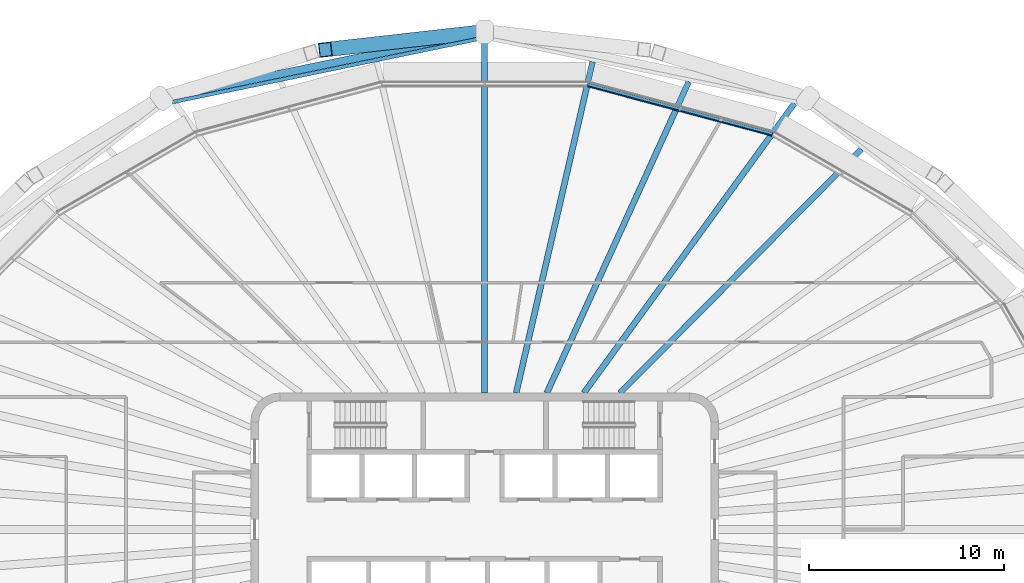
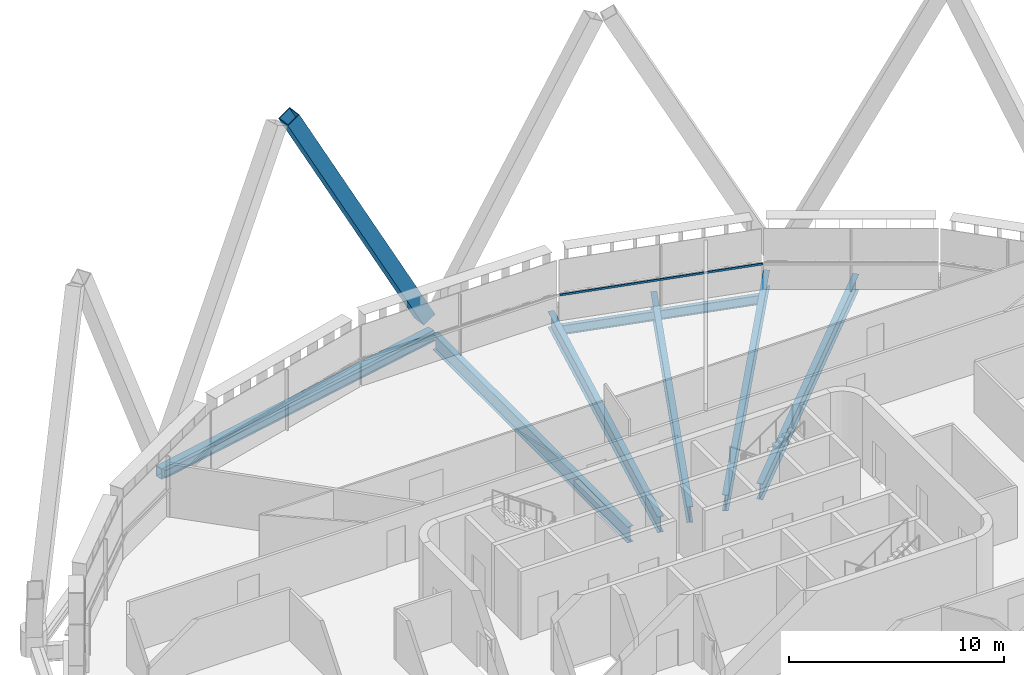
# One storey, part 8 of 23: 8 beams, 2 members, 1 element without a shape of its own.
"""IFC4 building model written with IfcOpenShell, lengths in metres."""

from ifc_helpers import new_model, si_unit, direction, frame, origin, origin_2d, place, context, subcontext, project, spatial, rectangle, hollow_rectangle, i_section, extrude, material, layer, layer_set, material_profile, profile_set, type_object, element, aggregate, save


model = new_model("IFC4")

# Units and contexts
model_context = context("Model", 3, precision=1e-05, world=origin(), true_north=direction((0.0, 1.0)))
body_context = subcontext(model_context, "Body", "Model", "MODEL_VIEW")
ifc_project = project(units=[si_unit("LENGTHUNIT", "METRE"), si_unit("AREAUNIT", "SQUARE_METRE"), si_unit("VOLUMEUNIT", "CUBIC_METRE"), si_unit("PLANEANGLEUNIT", "RADIAN"), si_unit("MASSUNIT", "GRAM", prefix="KILO")], contexts=[model_context])

# Site, building, storey
site_placement = place(None, origin())
site = spatial("IfcSite", under=ifc_project, at=site_placement, CompositionType="ELEMENT")
building_placement = place(site_placement, origin())
building = spatial("IfcBuilding", under=site, at=building_placement, Name="Sahrelin Media Tower", CompositionType="ELEMENT")
storey_placement = place(building_placement, frame((0.0, 0.0, 217.60009765625)))
storey = spatial("IfcBuildingStorey", under=building, at=storey_placement, Name="L46", CompositionType="ELEMENT", Elevation=217.60009765625)

# Member
ifc_material_1 = material(Name="Steel S460", Category="steel")
ifc_material_profile_1 = material_profile(ifc_material_1, hollow_rectangle(XDim=0.75, YDim=0.75, WallThickness=0.0400390625, at=origin_2d()), Name="Diagrid diagonal DG6")
ifc_profile_set_1 = profile_set([ifc_material_profile_1], Name="Steel S460")
member_type_1 = type_object("IfcMemberType", Name="Diagrid diagonal DG6", PredefinedType="BRACE", material=ifc_profile_set_1)
member_1_placement = place(storey_placement, frame((-0.374267578125, 25.489990234375, 0.699951171875), z_axis=(-0.47073958904, -0.053104550542, 0.880672553235), x_axis=(0.112099834175, -0.993696949365, 0.0)))
element("IfcMember", 1, at=member_1_placement, inside=storey, type_object=member_type_1, Name="Diagrid diagonal D10-06", PredefinedType="BRACE", context=body_context, shape_type="SweptSolid", body=[
    extrude(hollow_rectangle(XDim=0.75, YDim=0.75, WallThickness=0.0400390625, at=origin_2d()), origin(), (0.0, 0.0, 1.0), 16.578125),
])

# Beams
ifc_material_profile_2 = material_profile(ifc_material_1, hollow_rectangle(XDim=0.39990234375, YDim=0.60009765625, WallThickness=0.030029296875, at=origin_2d()), Name="Diagrid ring beam RB1")
ifc_profile_set_2 = profile_set([ifc_material_profile_2], Name="Steel S460")
beam_type_1 = type_object("IfcBeamType", Name="Diagrid ring beam RB1", PredefinedType="BEAM", material=ifc_profile_set_2)
beam_1_placement = place(storey_placement, frame((0.0, 25.5322265625, -0.4501953125), z_axis=(-0.979388146689, -0.201987272186, 0.0), x_axis=(0.201987272186, -0.979388146689, 0.0)))
element("IfcBeam", 2, at=beam_1_placement, inside=storey, type_object=beam_type_1, Name="Diagrid ring beam RB10-03", PredefinedType="BEAM", context=body_context, shape_type="SweptSolid", body=[
    extrude(hollow_rectangle(XDim=0.39990234375, YDim=0.60009765625, WallThickness=0.030029296875, at=origin_2d()), origin(), (0.0, 0.0, 1.0), 16.93505859375),
])
ifc_material_2 = material(Name="Steel S355", Category="steel")
ifc_material_profile_3 = material_profile(ifc_material_2, i_section(OverallWidth=0.208740234375, OverallDepth=0.5283203125, WebThickness=0.009521484375, FlangeThickness=0.01318359375, FilletRadius=0.0126953125, at=origin_2d()), Name="UB 533x210x82")
ifc_profile_set_3 = profile_set([ifc_material_profile_3], Name="Steel S355")
beam_type_2 = type_object("IfcBeamType", Name="Edge beam EB6", PredefinedType="BEAM", material=ifc_profile_set_3)
beam_2_placement = place(storey_placement, frame((5.2900390625, 22.79833984375, -0.414306640625), z_axis=(0.965925693265, -0.258819541556, 0.0), x_axis=(0.258819541556, 0.965925693265, 0.0)))
element("IfcBeam", 3, at=beam_2_placement, inside=storey, type_object=beam_type_2, Name="Edge beam L46-20", PredefinedType="BEAM", context=body_context, shape_type="SweptSolid", body=[
    extrude(i_section(OverallWidth=0.208740234375, OverallDepth=0.5283203125, WebThickness=0.009521484375, FlangeThickness=0.01318359375, FilletRadius=0.0126953125, at=origin_2d()), origin(), (0.0, 0.0, 1.0), 9.796875),
])
ifc_material_profile_4 = material_profile(ifc_material_2, i_section(OverallWidth=0.30322265625, OverallDepth=0.903076171875, WebThickness=0.01513671875, FlangeThickness=0.020263671875, FilletRadius=0.01904296875, at=origin_2d()), Name="UB 914x305x201")
ifc_profile_set_4 = profile_set([ifc_material_profile_4], Name="Steel S355")
beam_type_3 = type_object("IfcBeamType", Name="Radial primary beam PB11", PredefinedType="BEAM", material=ifc_profile_set_4)
beam_3_placement = place(storey_placement, frame((5.08740234375, 7.0, -0.6015625), z_axis=(0.587903651561, 0.808930959033, 0.0), x_axis=(-0.808930959033, 0.587903651561, 0.0)))
element("IfcBeam", 4, at=beam_3_placement, inside=storey, type_object=beam_type_3, Name="Radial beam L46-05", PredefinedType="BEAM", context=body_context, shape_type="SweptSolid", body=[
    extrude(i_section(OverallWidth=0.30322265625, OverallDepth=0.903076171875, WebThickness=0.01513671875, FlangeThickness=0.020263671875, FilletRadius=0.01904296875, at=origin_2d()), origin(), (0.0, 0.0, 1.0), 18.361328125),
])
beam_4_placement = place(storey_placement, frame((1.614990234375, 7.0, -0.6015625), z_axis=(0.224837005551, 0.974396387994, 0.0), x_axis=(-0.974396387994, 0.224837005551, 0.0)))
element("IfcBeam", 5, at=beam_4_placement, inside=storey, type_object=beam_type_3, Name="Radial beam L46-06", PredefinedType="BEAM", context=body_context, shape_type="SweptSolid", body=[
    extrude(i_section(OverallWidth=0.30322265625, OverallDepth=0.903076171875, WebThickness=0.01513671875, FlangeThickness=0.020263671875, FilletRadius=0.01904296875, at=origin_2d()), origin(), (0.0, 0.0, 1.0), 17.433349609375),
])
ifc_material_profile_5 = material_profile(ifc_material_2, i_section(OverallWidth=0.30322265625, OverallDepth=0.903076171875, WebThickness=0.01513671875, FlangeThickness=0.020263671875, FilletRadius=0.01904296875, at=origin_2d()), Name="UB 914x305x201")
ifc_profile_set_5 = profile_set([ifc_material_profile_5], Name="Steel S355")
beam_type_4 = type_object("IfcBeamType", Name="Radial secondary beam SB11", PredefinedType="BEAM", material=ifc_profile_set_5)
beam_5_placement = place(storey_placement, frame((6.932861328125, 7.0, -0.6015625), z_axis=(0.703686903697, 0.710510198073, 0.0), x_axis=(-0.710510198073, 0.703686903697, 0.0)))
element("IfcBeam", 6, at=beam_5_placement, inside=storey, type_object=beam_type_4, Name="Secondary beam L46-04", PredefinedType="BEAM", context=body_context, shape_type="SweptSolid", body=[
    extrude(i_section(OverallWidth=0.30322265625, OverallDepth=0.903076171875, WebThickness=0.01513671875, FlangeThickness=0.020263671875, FilletRadius=0.01904296875, at=origin_2d()), origin(), (0.0, 0.0, 1.0), 17.60400390625),
])
beam_6_placement = place(storey_placement, frame((3.190185546875, 7.0, -0.6015625), z_axis=(0.414698885824, 0.909958699116, 0.0), x_axis=(-0.909958699116, 0.414698885824, 0.0)))
element("IfcBeam", 7, at=beam_6_placement, inside=storey, type_object=beam_type_4, Name="Secondary beam L46-05", PredefinedType="BEAM", context=body_context, shape_type="SweptSolid", body=[
    extrude(i_section(OverallWidth=0.30322265625, OverallDepth=0.903076171875, WebThickness=0.01513671875, FlangeThickness=0.020263671875, FilletRadius=0.01904296875, at=origin_2d()), origin(), (0.0, 0.0, 1.0), 17.549560546875),
])
beam_7_placement = place(storey_placement, frame((0.0, 7.0, -0.6015625), z_axis=(0.0, 1.0, 0.0), x_axis=(-1.0, 0.0, 0.0)))
element("IfcBeam", 8, at=beam_7_placement, inside=storey, type_object=beam_type_4, Name="Secondary beam L46-06", PredefinedType="BEAM", context=body_context, shape_type="SweptSolid", body=[
    extrude(i_section(OverallWidth=0.30322265625, OverallDepth=0.903076171875, WebThickness=0.01513671875, FlangeThickness=0.020263671875, FilletRadius=0.01904296875, at=origin_2d()), origin(), (0.0, 0.0, 1.0), 18.12841796875),
])
ifc_material_profile_6 = material_profile(ifc_material_2, i_section(OverallWidth=0.1904296875, OverallDepth=0.45703125, WebThickness=0.009033203125, FlangeThickness=0.014404296875, FilletRadius=0.01025390625, at=origin_2d()), Name="UB 457x191x74")
ifc_profile_set_6 = profile_set([ifc_material_profile_6], Name="Steel S355")
beam_type_5 = type_object("IfcBeamType", Name="Tie chord TC5", PredefinedType="BEAM", material=ifc_profile_set_6)
beam_8_placement = place(storey_placement, frame((-16.45751953125, 21.831298828125, -0.378662109375), z_axis=(0.979386763323, 0.201993979684, 0.0), x_axis=(-0.201993979684, 0.979386763323, 0.0)))
element("IfcBeam", 9, at=beam_8_placement, inside=storey, type_object=beam_type_5, Name="Tie chord L46-09", PredefinedType="BEAM", context=body_context, shape_type="SweptSolid", body=[
    extrude(i_section(OverallWidth=0.1904296875, OverallDepth=0.45703125, WebThickness=0.009033203125, FlangeThickness=0.014404296875, FilletRadius=0.01025390625, at=origin_2d()), origin(), (0.0, 0.0, 1.0), 16.803955078125),
])

# Curtain wall, member
ifc_material_3 = material(Name="Champagne anodised aluminium 6063-T6", Category="aluminium")
ifc_layer = layer(ifc_material_3, 0.14990234375)
ifc_layer_set = layer_set([ifc_layer], Name="Tower ribbon curtain wall")
curtain_wall_type = type_object("IfcCurtainWallType", Name="Tower ribbon curtain wall", PredefinedType="NOTDEFINED", material=ifc_layer_set)
curtain_wall_placement = place(storey_placement, frame((10.060302734375, 21.67529296875, 0.0), z_axis=(0.0, 0.0, 1.0), x_axis=(1.0, 0.0, 0.0)))
curtain_wall = element("IfcCurtainWall", 10, at=curtain_wall_placement, inside=storey, type_object=curtain_wall_type, Name="L46:CW:L46-05", PredefinedType="NOTDEFINED")
ifc_material_profile_7 = material_profile(ifc_material_3, rectangle(XDim=0.050048828125, YDim=0.110107421875, at=origin_2d()), Name="Transom 50x110")
ifc_profile_set_7 = profile_set([ifc_material_profile_7], Name="Champagne anodised aluminium 6063-T6")
member_type_2 = type_object("IfcMemberType", Name="Transom 50x110 CW1B", PredefinedType="USERDEFINED", material=ifc_profile_set_7)
member_2_placement = place(storey_placement, frame((14.719970703125, 20.19921875, 1.599853515625), z_axis=(-0.965924282198, 0.258824807661, 0.0), x_axis=(-0.258824807661, -0.965924282198, 0.0)))
member_2 = element("IfcMember", 11, at=member_2_placement, type_object=member_type_2, Name="L46:CWT:L46-05", ObjectType="TRANSOM", PredefinedType="USERDEFINED", context=body_context, shape_type="SweptSolid", body=[
    extrude(rectangle(XDim=0.050048828125, YDim=0.110107421875, at=origin_2d()), origin(), (0.0, 0.0, 1.0), 9.765625),
])
aggregate(curtain_wall, [member_2])

save(model, "model.ifc")
